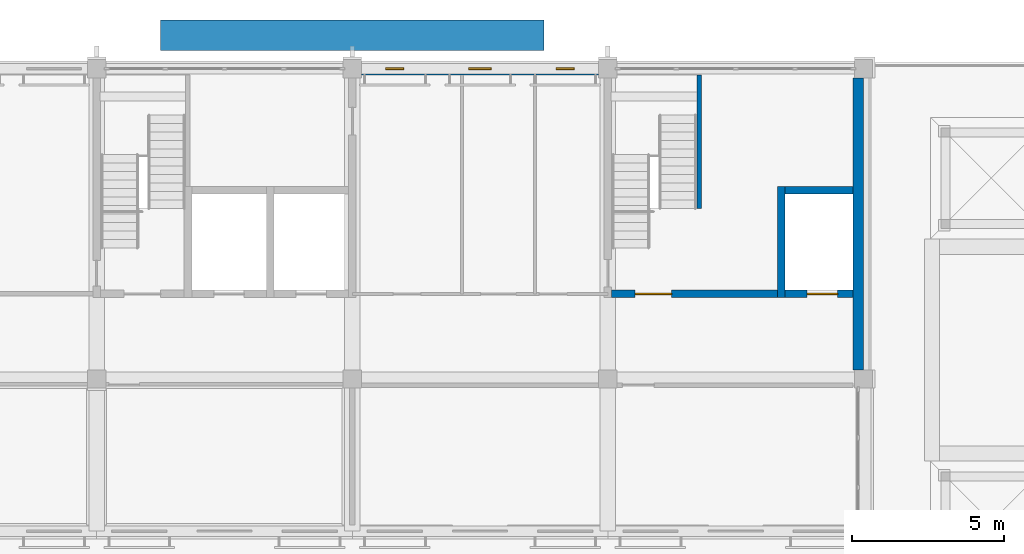
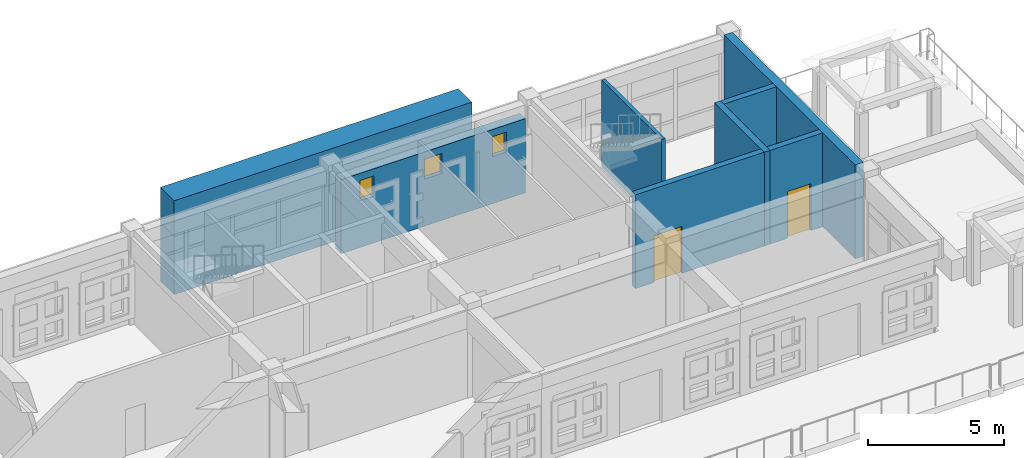
# One storey, part 44 of 71: 9 walls, 3 windows, 2 doors, 5 openings.
"""IFC4 building model written with IfcOpenShell, lengths in metres."""

from ifc_helpers import new_model, si_unit, direction, frame, frame_2d, origin, place, context, subcontext, project, spatial, rectangle, extrude, material, layer, layer_set, type_object, element, fill, save


model = new_model("IFC4")

# Units and contexts
model_context = context("Model", 3, precision=1e-05, world=origin(), true_north=direction((0.0, 1.0)))
body_context = subcontext(model_context, "Body", "Model", "MODEL_VIEW")
ifc_project = project(units=[si_unit("LENGTHUNIT", "METRE"), si_unit("AREAUNIT", "SQUARE_METRE"), si_unit("VOLUMEUNIT", "CUBIC_METRE"), si_unit("PLANEANGLEUNIT", "RADIAN"), si_unit("MASSUNIT", "GRAM", prefix="KILO")], contexts=[model_context])

# Site, building, storey
site_placement = place(None, origin())
site = spatial("IfcSite", under=ifc_project, at=site_placement, CompositionType="ELEMENT")
building_placement = place(site_placement, origin())
building = spatial("IfcBuilding", under=site, at=building_placement, Name="Wasatch Bagh Community Centre", CompositionType="ELEMENT")
storey_placement = place(building_placement, frame((0.0, 0.0, 12.60009765625)))
storey = spatial("IfcBuildingStorey", under=building, at=storey_placement, Name="L03", CompositionType="ELEMENT", Elevation=12.60009765625)

# Wall, opening, door
ifc_material_1 = material(Name="Concrete C40", Category="concrete")
ifc_layer_1 = layer(ifc_material_1, 0.25)
ifc_layer_set_1 = layer_set([ifc_layer_1], Name="Concrete C40")
wall_type_1 = type_object("IfcWallType", Name="LW core wall 250", PredefinedType="SHEAR", material=ifc_layer_set_1)
wall_1_placement = place(storey_placement, frame((122.925048828125, 90.39990234375, 0.0), z_axis=(0.0, 0.0, 1.0), x_axis=(1.0, 0.0, 0.0)))
wall_1 = element("IfcWall", 1, at=wall_1_placement, inside=storey, type_object=wall_type_1, Name="LW.swall.L03.06", PredefinedType="SHEAR", context=body_context, shape_type="SweptSolid", body=[
    extrude(rectangle(XDim=5.449951171875, YDim=0.25, at=frame_2d((2.72509765625, 0.0))), origin(), (0.0, 0.0, 1.0), 4.199951171875),
])
opening_1_placement = place(wall_1_placement, frame((0.77490234375, 0.0, 0.0)))
opening_1 = element("IfcOpeningElement", 2, at=opening_1_placement, cuts=wall_1, Name="Opening 3L-27", PredefinedType="OPENING", context=body_context, shape_type="SweptSolid", body=[
    extrude(rectangle(XDim=1.199951171875, YDim=2.10009765625, at=frame_2d((0.60009765625, 1.050048828125))), frame((0.0, 0.135009765625, 0.0), z_axis=(0.0, -1.0, 0.0), x_axis=(1.0, 0.0, 0.0)), (0.0, 0.0, 1.0), 0.27001953125),
])
ifc_material_2 = material(Name="Painted timber", Category="wood")
door_type_1 = type_object("IfcDoorType", Name="LW stair door 1200x2100", OperationType="SINGLE_SWING_LEFT", PredefinedType="DOOR", material=ifc_material_2)
door_1_placement = place(opening_1_placement, origin())
door_1 = element("IfcDoor", 3, at=door_1_placement, inside=storey, type_object=door_type_1, Name="Stair door 3L-27", OperationType="SINGLE_SWING_LEFT", OverallHeight=2.10009765625, OverallWidth=1.199951171875, PredefinedType="DOOR", context=body_context, shape_type="SweptSolid", body=[
    extrude(rectangle(XDim=1.199951171875, YDim=2.10009765625, at=frame_2d((0.60009765625, 1.050048828125))), frame((0.0, 0.02490234375, 0.0), z_axis=(0.0, -1.0, 0.0), x_axis=(1.0, 0.0, 0.0)), (0.0, 0.0, 1.0), 0.050048828125),
])
fill(opening_1, door_1)

wall_2_placement = place(storey_placement, frame((128.625, 90.39990234375, 0.0), z_axis=(0.0, 0.0, 1.0), x_axis=(1.0, 0.0, 0.0)))
wall_2 = element("IfcWall", 4, at=wall_2_placement, inside=storey, type_object=wall_type_1, Name="LW.swall.L03.07", PredefinedType="SHEAR", context=body_context, shape_type="SweptSolid", body=[
    extrude(rectangle(XDim=2.22509765625, YDim=0.25, at=frame_2d((1.112548828125, 0.0))), origin(), (0.0, 0.0, 1.0), 4.199951171875),
])
opening_2_placement = place(wall_2_placement, frame((0.72509765625, 0.0, 0.0)))
opening_2 = element("IfcOpeningElement", 5, at=opening_2_placement, cuts=wall_2, Name="Opening 3L-28", PredefinedType="OPENING", context=body_context, shape_type="SweptSolid", body=[
    extrude(rectangle(XDim=1.0, YDim=2.10009765625, at=frame_2d((0.5, 1.050048828125))), frame((0.0, 0.135009765625, 0.0), z_axis=(0.0, -1.0, 0.0), x_axis=(1.0, 0.0, 0.0)), (0.0, 0.0, 1.0), 0.27001953125),
])
ifc_material_3 = material(Name="Stainless steel landing door", Category="steel")
door_type_2 = type_object("IfcDoorType", Name="Lift landing door 1000 x 2100", OperationType="SLIDING_TO_LEFT", PredefinedType="DOOR", material=ifc_material_3)
door_2_placement = place(opening_2_placement, origin())
door_2 = element("IfcDoor", 6, at=door_2_placement, inside=storey, type_object=door_type_2, Name="Lift landing door LD 3L-28", OperationType="SLIDING_TO_LEFT", OverallHeight=2.10009765625, OverallWidth=1.0, PredefinedType="DOOR", context=body_context, shape_type="SweptSolid", body=[
    extrude(rectangle(XDim=1.0, YDim=2.10009765625, at=frame_2d((0.5, 1.050048828125))), frame((0.0, 0.02490234375, 0.0), z_axis=(0.0, -1.0, 0.0), x_axis=(1.0, 0.0, 0.0)), (0.0, 0.0, 1.0), 0.050048828125),
])
fill(opening_2, door_2)

# Walls
wall_3_placement = place(storey_placement, frame((128.625, 93.800048828125, 0.0), z_axis=(0.0, 0.0, 1.0), x_axis=(1.0, 0.0, 0.0)))
element("IfcWall", 7, at=wall_3_placement, inside=storey, type_object=wall_type_1, Name="LW.swall.L03.11", PredefinedType="SHEAR", context=body_context, shape_type="SweptSolid", body=[
    extrude(rectangle(XDim=2.22509765625, YDim=0.25, at=frame_2d((1.112548828125, 0.0))), origin(), (0.0, 0.0, 1.0), 4.199951171875),
])
wall_4_placement = place(storey_placement, frame((128.5, 90.27490234375, 0.0), z_axis=(0.0, 0.0, 1.0), x_axis=(0.0, 1.0, 0.0)))
element("IfcWall", 8, at=wall_4_placement, inside=storey, type_object=wall_type_1, Name="LW.swall.L03.21", PredefinedType="SHEAR", context=body_context, shape_type="SweptSolid", body=[
    extrude(rectangle(XDim=3.650146484375, YDim=0.25, at=frame_2d((1.8251953125, 0.0))), origin(), (0.0, 0.0, 1.0), 4.199951171875),
])
ifc_layer_2 = layer(ifc_material_1, 0.35009765625)
ifc_layer_set_2 = layer_set([ifc_layer_2], Name="Concrete C40")
wall_type_2 = type_object("IfcWallType", Name="LW end shear wall 350", PredefinedType="SHEAR", material=ifc_layer_set_2)
wall_5_placement = place(storey_placement, frame((131.02490234375, 97.5, 0.0), z_axis=(0.0, 0.0, 1.0), x_axis=(0.0, -1.0, 0.0)))
element("IfcWall", 9, at=wall_5_placement, inside=storey, type_object=wall_type_2, Name="LW.swall.L03.22", PredefinedType="SHEAR", context=body_context, shape_type="SweptSolid", body=[
    extrude(rectangle(XDim=9.60009765625, YDim=0.35009765625, at=frame_2d((4.800048828125, 0.0))), origin(), (0.0, 0.0, 1.0), 4.199951171875),
])

# Wall, openings, windows
ifc_material_4 = material(Name="Concrete C35", Category="concrete")
ifc_layer_3 = layer(ifc_material_4, 0.39990234375)
ifc_layer_set_3 = layer_set([ifc_layer_3], Name="Concrete C35")
wall_type_3 = type_object("IfcWallType", Name="LW facade wall 400", PredefinedType="SOLIDWALL", material=ifc_layer_set_3)
wall_6_placement = place(storey_placement, frame((114.699951171875, 97.800048828125, 0.0), z_axis=(0.0, 0.0, 1.0), x_axis=(1.0, 0.0, 0.0)))
wall_6 = element("IfcWall", 10, at=wall_6_placement, inside=storey, type_object=wall_type_3, Name="Facade wall", PredefinedType="SOLIDWALL", context=body_context, shape_type="SweptSolid", body=[
    extrude(rectangle(XDim=7.800048828125, YDim=0.39990234375, at=frame_2d((3.89990234375, 0.0))), origin(), (0.0, 0.0, 1.0), 3.31982421875),
])
opening_3_placement = place(wall_6_placement, frame((0.800048828125, 0.0, 2.10009765625)))
opening_3 = element("IfcOpeningElement", 11, at=opening_3_placement, cuts=wall_6, Name="Opening 3L-W019", PredefinedType="OPENING", context=body_context, shape_type="SweptSolid", body=[
    extrude(rectangle(XDim=0.60009765625, YDim=0.89990234375, at=frame_2d((0.300048828125, 0.449951171875))), frame((0.0, 0.2099609375, 0.0), z_axis=(0.0, -1.0, 0.0), x_axis=(1.0, 0.0, 0.0)), (0.0, 0.0, 1.0), 0.419921875),
])
opening_4_placement = place(wall_6_placement, frame((3.52490234375, 0.0, 2.10009765625)))
opening_4 = element("IfcOpeningElement", 12, at=opening_4_placement, cuts=wall_6, Name="Opening 3L-W020", PredefinedType="OPENING", context=body_context, shape_type="SweptSolid", body=[
    extrude(rectangle(XDim=0.75, YDim=0.89990234375, at=frame_2d((0.375, 0.449951171875))), frame((0.0, 0.2099609375, 0.0), z_axis=(0.0, -1.0, 0.0), x_axis=(1.0, 0.0, 0.0)), (0.0, 0.0, 1.0), 0.419921875),
])
opening_5_placement = place(wall_6_placement, frame((6.39990234375, 0.0, 2.10009765625)))
opening_5 = element("IfcOpeningElement", 13, at=opening_5_placement, cuts=wall_6, Name="Opening 3L-W021", PredefinedType="OPENING", context=body_context, shape_type="SweptSolid", body=[
    extrude(rectangle(XDim=0.60009765625, YDim=0.89990234375, at=frame_2d((0.300048828125, 0.449951171875))), frame((0.0, 0.2099609375, 0.0), z_axis=(0.0, -1.0, 0.0), x_axis=(1.0, 0.0, 0.0)), (0.0, 0.0, 1.0), 0.419921875),
])
ifc_material_5 = material(Name="Aluminium framed double glazing", Category="aluminium")
window_type_1 = type_object("IfcWindowType", Name="LW WC window 600x900", PartitioningType="SINGLE_PANEL", PredefinedType="WINDOW", material=ifc_material_5)
window_1_placement = place(opening_3_placement, origin())
window_1 = element("IfcWindow", 14, at=window_1_placement, inside=storey, type_object=window_type_1, Name="Window 3L-W019", OverallHeight=0.89990234375, OverallWidth=0.60009765625, PartitioningType="SINGLE_PANEL", PredefinedType="WINDOW", context=body_context, shape_type="SweptSolid", body=[
    extrude(rectangle(XDim=0.60009765625, YDim=0.89990234375, at=frame_2d((0.300048828125, 0.449951171875))), frame((0.0, 0.030029296875, 0.0), z_axis=(0.0, -1.0, 0.0), x_axis=(1.0, 0.0, 0.0)), (0.0, 0.0, 1.0), 0.06005859375),
])
fill(opening_3, window_1)
window_2_placement = place(opening_5_placement, origin())
window_2 = element("IfcWindow", 15, at=window_2_placement, inside=storey, type_object=window_type_1, Name="Window 3L-W021", OverallHeight=0.89990234375, OverallWidth=0.60009765625, PartitioningType="SINGLE_PANEL", PredefinedType="WINDOW", context=body_context, shape_type="SweptSolid", body=[
    extrude(rectangle(XDim=0.60009765625, YDim=0.89990234375, at=frame_2d((0.300048828125, 0.449951171875))), frame((0.0, 0.030029296875, 0.0), z_axis=(0.0, -1.0, 0.0), x_axis=(1.0, 0.0, 0.0)), (0.0, 0.0, 1.0), 0.06005859375),
])
fill(opening_5, window_2)
window_type_2 = type_object("IfcWindowType", Name="LW accessible WC window 750x900", PartitioningType="SINGLE_PANEL", PredefinedType="WINDOW", material=ifc_material_5)
window_3_placement = place(opening_4_placement, origin())
window_3 = element("IfcWindow", 16, at=window_3_placement, inside=storey, type_object=window_type_2, Name="Window 3L-W020", OverallHeight=0.89990234375, OverallWidth=0.75, PartitioningType="SINGLE_PANEL", PredefinedType="WINDOW", context=body_context, shape_type="SweptSolid", body=[
    extrude(rectangle(XDim=0.75, YDim=0.89990234375, at=frame_2d((0.375, 0.449951171875))), frame((0.0, 0.030029296875, 0.0), z_axis=(0.0, -1.0, 0.0), x_axis=(1.0, 0.0, 0.0)), (0.0, 0.0, 1.0), 0.06005859375),
])
fill(opening_4, window_3)

# Walls
ifc_material_6 = material(Name="Gypsum board on steel studs", Category="steel")
ifc_layer_4 = layer(ifc_material_6, 0.14990234375)
ifc_layer_set_4 = layer_set([ifc_layer_4], Name="Gypsum board on steel studs")
wall_type_4 = type_object("IfcWallType", Name="LW partition 150", PredefinedType="PARTITIONING", material=ifc_layer_set_4)
wall_7_placement = place(storey_placement, frame((125.800048828125, 93.199951171875, 0.0), z_axis=(0.0, 0.0, 1.0), x_axis=(0.0, 1.0, 0.0)))
element("IfcWall", 17, at=wall_7_placement, inside=storey, type_object=wall_type_4, Name="Stair compartment wall", PredefinedType="PARTITIONING", context=body_context, shape_type="SweptSolid", body=[
    extrude(rectangle(XDim=4.400146484375, YDim=0.14990234375, at=frame_2d((2.2001953125, 0.0))), origin(), (0.0, 0.0, 1.0), 3.919921875),
])
ifc_layer_5 = layer(ifc_material_1, 1.0)
ifc_layer_set_5 = layer_set([ifc_layer_5], Name="Concrete C40")
wall_type_5 = type_object("IfcWallType", Name="LWPQ-W4", PredefinedType="STANDARD", material=ifc_layer_set_5)
wall_8_placement = place(storey_placement, frame((108.10009765625, 98.89990234375, 0.0), z_axis=(0.0, 0.0, 1.0), x_axis=(1.0, 0.0, 0.0)))
element("IfcWall", 18, at=wall_8_placement, inside=storey, type_object=wall_type_5, Name="LWPQ-W4 iwan arch band", PredefinedType="STANDARD", context=body_context, shape_type="SweptSolid", body=[
    extrude(rectangle(XDim=12.599853515625, YDim=1.0, at=frame_2d((6.2998046875, 0.0))), origin(), (0.0, 0.0, 1.0), 2.599853515625),
])
wall_9_placement = place(storey_placement, frame((108.10009765625, 98.89990234375, 2.599853515625), z_axis=(0.0, 0.0, 1.0), x_axis=(1.0, 0.0, 0.0)))
element("IfcWall", 19, at=wall_9_placement, inside=storey, type_object=wall_type_5, Name="LWPQ-W4 iwan cornice band", PredefinedType="STANDARD", context=body_context, shape_type="SweptSolid", body=[
    extrude(rectangle(XDim=12.599853515625, YDim=1.0, at=frame_2d((6.2998046875, 0.0))), origin(), (0.0, 0.0, 1.0), 1.60009765625),
])

save(model, "model.ifc")
